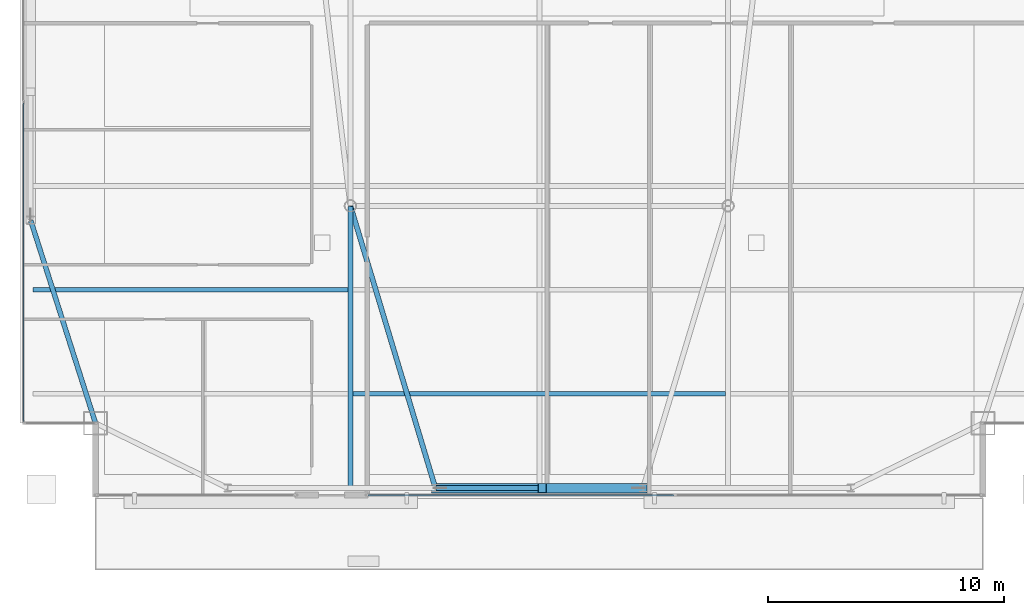
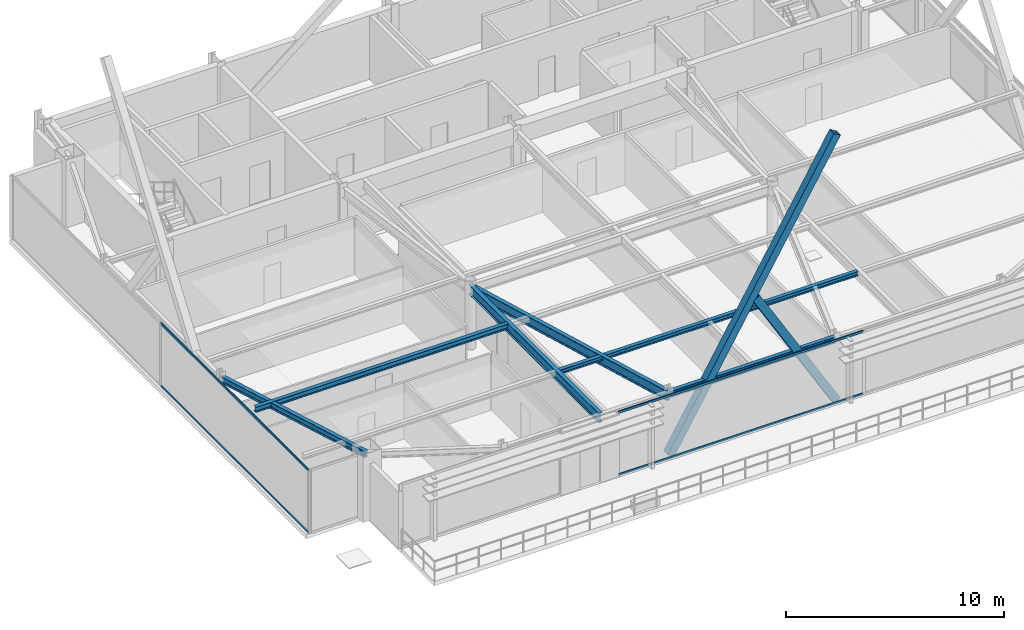
# One storey, part 6 of 25: 6 beams, 6 members, 2 elements without a shape of their own.
"""IFC4 building model written with IfcOpenShell, lengths in metres."""

from ifc_helpers import new_model, si_unit, direction, frame, origin, origin_2d, place, context, subcontext, project, spatial, hollow_rectangle, i_section, extrude, source, transform, mapped, material, layer, layer_set, material_profile, profile_set, type_object, type_shapes, element, aggregate, save


model = new_model("IFC4")

# Units and contexts
model_context = context("Model", 3, precision=1e-05, world=origin(), true_north=direction((0.0, 1.0)))
body_context = subcontext(model_context, "Body", "Model", "MODEL_VIEW")
ifc_project = project(units=[si_unit("LENGTHUNIT", "METRE"), si_unit("AREAUNIT", "SQUARE_METRE"), si_unit("VOLUMEUNIT", "CUBIC_METRE"), si_unit("PLANEANGLEUNIT", "RADIAN"), si_unit("MASSUNIT", "GRAM", prefix="KILO")], contexts=[model_context])

# Site, building, storey
site_placement = place(None, origin())
site = spatial("IfcSite", under=ifc_project, at=site_placement, CompositionType="ELEMENT")
building_placement = place(site_placement, origin())
building = spatial("IfcBuilding", under=site, at=building_placement, Name="Varnel Quay Broadcast Tower", CompositionType="ELEMENT")
storey_placement = place(building_placement, frame((0.0, 0.0, 258.39990234375)))
storey = spatial("IfcBuildingStorey", under=building, at=storey_placement, Name="L64", CompositionType="ELEMENT", Elevation=258.39990234375)

# Beams
ifc_material_1 = material(Name="Structural Steel CSA G40.21 350W", Category="steel")
ifc_material_profile_1 = material_profile(ifc_material_1, i_section(OverallWidth=0.205078125, OverallDepth=0.35400390625, WebThickness=0.009521484375, FlangeThickness=0.016845703125, FilletRadius=0.012939453125, at=origin_2d()), Name="W360X79")
ifc_profile_set_1 = profile_set([ifc_material_profile_1], Name="Structural Steel CSA G40.21 350W")
beam_type_1 = type_object("IfcBeamType", Name="Beam_W360X79", PredefinedType="SPANDREL", material=ifc_profile_set_1)
shared_shape_1 = source(origin(), body_context, "Body", "SweptSolid", [
    extrude(i_section(OverallWidth=0.205078125, OverallDepth=0.35400390625, WebThickness=0.009521484375, FlangeThickness=0.016845703125, FilletRadius=0.012939453125, at=origin_2d()), origin(), (0.0, 0.0, 1.0), 8.759765625),
])
beam_1_placement = place(storey_placement, frame((29.6201171875, 13.64990234375, 3.373046875), z_axis=(1.0, 0.0, 0.0), x_axis=(0.0, 1.0, 0.0)))
element("IfcBeam", 1, at=beam_1_placement, inside=storey, type_object=beam_type_1, Name="L64 South Spandrel TC-S2-TC-S3", PredefinedType="SPANDREL", context=body_context, shape_type="MappedRepresentation", body=[
    mapped(shared_shape_1, transform((0.0, 0.0, 0.0), x_axis=(1.0, 0.0, 0.0), y_axis=(0.0, 1.0, 0.0), z_axis=(0.0, 0.0, 1.0), scale=1.0)),
])
shared_shape_2 = source(origin(), body_context, "Body", "SweptSolid", [
    extrude(i_section(OverallWidth=0.205078125, OverallDepth=0.35400390625, WebThickness=0.009521484375, FlangeThickness=0.016845703125, FilletRadius=0.012939453125, at=origin_2d()), origin(), (0.0, 0.0, 1.0), 8.989013671875),
])
type_shapes(beam_type_1, [shared_shape_1, shared_shape_2])
beam_2_placement = place(storey_placement, frame((15.19384765625, 16.4189453125, 3.373046875), z_axis=(-0.304568770162, 0.952490348635, 0.0), x_axis=(-0.952490348635, -0.304568770162, 0.0)))
element("IfcBeam", 2, at=beam_2_placement, inside=storey, type_object=beam_type_1, Name="L64 West Spandrel MC-SW-TC-W1", PredefinedType="SPANDREL", context=body_context, shape_type="MappedRepresentation", body=[
    mapped(shared_shape_2, transform((0.0, 0.0, 0.0), x_axis=(1.0, 0.0, 0.0), y_axis=(0.0, 1.0, 0.0), z_axis=(0.0, 0.0, 1.0), scale=1.0)),
])
ifc_material_profile_2 = material_profile(ifc_material_1, i_section(OverallWidth=0.2119140625, OverallDepth=0.5439453125, WebThickness=0.01318359375, FlangeThickness=0.021240234375, FilletRadius=0.013916015625, at=origin_2d()), Name="W530X123")
ifc_profile_set_2 = profile_set([ifc_material_profile_2], Name="Structural Steel CSA G40.21 350W")
beam_type_2 = type_object("IfcBeamType", Name="Girder_W530X123", PredefinedType="BEAM", material=ifc_profile_set_2)
shared_shape_3 = source(origin(), body_context, "Body", "SweptSolid", [
    extrude(i_section(OverallWidth=0.2119140625, OverallDepth=0.5439453125, WebThickness=0.01318359375, FlangeThickness=0.021240234375, FilletRadius=0.013916015625, at=origin_2d()), origin(), (0.0, 0.0, 1.0), 12.449951171875),
])
beam_3_placement = place(storey_placement, frame((29.59423828125, 13.669189453125, 3.278076171875), z_axis=(-0.28822390679, 0.957563042078, 0.0), x_axis=(-0.957563042078, -0.28822390679, 0.0)))
element("IfcBeam", 3, at=beam_3_placement, inside=storey, type_object=beam_type_2, Name="L64 Primary Girder TC-S2-IC-01", PredefinedType="BEAM", context=body_context, shape_type="MappedRepresentation", body=[
    mapped(shared_shape_3, transform((0.0, 0.0, 0.0), x_axis=(1.0, 0.0, 0.0), y_axis=(0.0, 1.0, 0.0), z_axis=(0.0, 0.0, 1.0), scale=1.0)),
])
shared_shape_4 = source(origin(), body_context, "Body", "SweptSolid", [
    extrude(i_section(OverallWidth=0.2119140625, OverallDepth=0.5439453125, WebThickness=0.01318359375, FlangeThickness=0.021240234375, FilletRadius=0.013916015625, at=origin_2d()), origin(), (0.0, 0.0, 1.0), 11.920166015625),
])
type_shapes(beam_type_2, [shared_shape_3, shared_shape_4])
beam_4_placement = place(storey_placement, frame((26.0, 13.669921875, 3.278076171875), z_axis=(0.0, 1.0, 0.0), x_axis=(-1.0, 0.0, 0.0)))
element("IfcBeam", 4, at=beam_4_placement, inside=storey, type_object=beam_type_2, Name="L64 N-S Joist Header IC-01S", PredefinedType="BEAM", context=body_context, shape_type="MappedRepresentation", body=[
    mapped(shared_shape_4, transform((0.0, 0.0, 0.0), x_axis=(1.0, 0.0, 0.0), y_axis=(0.0, 1.0, 0.0), z_axis=(0.0, 0.0, 1.0), scale=1.0)),
])
ifc_material_profile_3 = material_profile(ifc_material_1, i_section(OverallWidth=0.201904296875, OverallDepth=0.2470703125, WebThickness=0.00732421875, FlangeThickness=0.010986328125, FilletRadius=0.010986328125, at=origin_2d()), Name="W250X49")
ifc_profile_set_3 = profile_set([ifc_material_profile_3], Name="Structural Steel CSA G40.21 350W")
beam_type_3 = type_object("IfcBeamType", Name="Beam_W250X49", PredefinedType="JOIST", material=ifc_profile_set_3)
shared_shape_5 = source(origin(), body_context, "Body", "SweptSolid", [
    extrude(i_section(OverallWidth=0.201904296875, OverallDepth=0.2470703125, WebThickness=0.00732421875, FlangeThickness=0.010986328125, FilletRadius=0.010986328125, at=origin_2d()), origin(), (0.0, 0.0, 1.0), 15.7978515625),
])
type_shapes(beam_type_3, [shared_shape_5])
beam_5_placement = place(storey_placement, frame((26.10107421875, 17.64990234375, 3.426513671875), z_axis=(1.0, 0.0, 0.0), x_axis=(0.0, 1.0, 0.0)))
element("IfcBeam", 5, at=beam_5_placement, inside=storey, type_object=beam_type_3, Name="L64 Central Floor Joist 1", PredefinedType="JOIST", context=body_context, shape_type="MappedRepresentation", body=[
    mapped(shared_shape_5, transform((0.0, 0.0, 0.0), x_axis=(1.0, 0.0, 0.0), y_axis=(0.0, 1.0, 0.0), z_axis=(0.0, 0.0, 1.0), scale=1.0)),
])
ifc_material_profile_4 = material_profile(ifc_material_1, i_section(OverallWidth=0.202880859375, OverallDepth=0.302978515625, WebThickness=0.007568359375, FlangeThickness=0.01318359375, FilletRadius=0.011962890625, at=origin_2d()), Name="W310X60")
ifc_profile_set_4 = profile_set([ifc_material_profile_4], Name="Structural Steel CSA G40.21 350W")
beam_type_4 = type_object("IfcBeamType", Name="Beam_W310X60", PredefinedType="JOIST", material=ifc_profile_set_4)
shared_shape_6 = source(origin(), body_context, "Body", "SweptSolid", [
    extrude(i_section(OverallWidth=0.202880859375, OverallDepth=0.302978515625, WebThickness=0.007568359375, FlangeThickness=0.01318359375, FilletRadius=0.011962890625, at=origin_2d()), origin(), (0.0, 0.0, 1.0), 13.351318359375),
])
type_shapes(beam_type_4, [shared_shape_6])
beam_6_placement = place(storey_placement, frame((12.547607421875, 22.050048828125, 3.398681640625), z_axis=(1.0, 0.0, 0.0), x_axis=(0.0, 1.0, 0.0)))
element("IfcBeam", 6, at=beam_6_placement, inside=storey, type_object=beam_type_4, Name="L64 West Floor Joist 2", PredefinedType="JOIST", context=body_context, shape_type="MappedRepresentation", body=[
    mapped(shared_shape_6, transform((0.0, 0.0, 0.0), x_axis=(1.0, 0.0, 0.0), y_axis=(0.0, 1.0, 0.0), z_axis=(0.0, 0.0, 1.0), scale=1.0)),
])

# Members
ifc_material_profile_5 = material_profile(ifc_material_1, hollow_rectangle(XDim=0.406005859375, YDim=0.406005859375, WallThickness=0.01611328125, at=origin_2d()), Name="HSS406X406X16")
ifc_profile_set_5 = profile_set([ifc_material_profile_5], Name="Structural Steel CSA G40.21 350W")
member_type_1 = type_object("IfcMemberType", Name="Brace_HSS406X406X16", PredefinedType="BRACE", material=ifc_profile_set_5)
shared_shape_7 = source(origin(), body_context, "Body", "SweptSolid", [
    extrude(hollow_rectangle(XDim=0.406005859375, YDim=0.406005859375, WallThickness=0.01611328125, at=origin_2d()), origin(), (0.0, 0.0, 1.0), 17.313232421875),
])
member_1_placement = place(storey_placement, frame((29.60009765625, 13.64990234375, 0.02001953125), z_axis=(0.50826935819, 0.0, 0.861198153461), x_axis=(0.0, 1.0, 0.0)))
element("IfcMember", 7, at=member_1_placement, inside=storey, type_object=member_type_1, Name="Zone 5 Mega-Brace S-C1T1 Continuous Diag A", PredefinedType="BRACE", context=body_context, shape_type="MappedRepresentation", body=[
    mapped(shared_shape_7, transform((0.0, 0.0, 0.0), x_axis=(1.0, 0.0, 0.0), y_axis=(0.0, 1.0, 0.0), z_axis=(0.0, 0.0, 1.0), scale=1.0)),
])
shared_shape_8 = source(origin(), body_context, "Body", "SweptSolid", [
    extrude(hollow_rectangle(XDim=0.406005859375, YDim=0.406005859375, WallThickness=0.01611328125, at=origin_2d()), origin(), (0.0, 0.0, 1.0), 8.399658203125),
])
type_shapes(member_type_1, [shared_shape_7, shared_shape_8])
member_2_placement = place(storey_placement, frame((38.39990234375, 13.64990234375, 0.02001953125), z_axis=(-0.508263126145, 0.0, 0.861201831513), x_axis=(0.0, -1.0, 0.0)))
element("IfcMember", 8, at=member_2_placement, inside=storey, type_object=member_type_1, Name="Zone 5 Mega-Brace S-C1T1 Split Diag B1", PredefinedType="BRACE", context=body_context, shape_type="MappedRepresentation", body=[
    mapped(shared_shape_8, transform((0.0, 0.0, 0.0), x_axis=(1.0, 0.0, 0.0), y_axis=(0.0, 1.0, 0.0), z_axis=(0.0, 0.0, 1.0), scale=1.0)),
])

# Curtain wall, members
ifc_material_2 = material(Name="Anodised Bronze Aluminium 6063-T6", Category="aluminium")
ifc_layer = layer(ifc_material_2, 0.18994140625, Name="Anodised Bronze Aluminium 6063-T6")
ifc_layer_set = layer_set([ifc_layer], Name="Anodised Bronze Aluminium 6063-T6")
curtain_wall_type = type_object("IfcCurtainWallType", Name="CW_UpperTower", PredefinedType="NOTDEFINED", material=ifc_layer_set)
curtain_wall_1_placement = place(storey_placement, origin())
curtain_wall_1 = element("IfcCurtainWall", 9, at=curtain_wall_1_placement, inside=storey, type_object=curtain_wall_type, Name="L64 South Unitised Curtain Wall 2", PredefinedType="NOTDEFINED")
ifc_material_profile_6 = material_profile(ifc_material_2, hollow_rectangle(XDim=0.06005859375, YDim=0.125, WallThickness=0.0029296875, at=origin_2d()), Name="ALU60X125X3")
ifc_profile_set_6 = profile_set([ifc_material_profile_6], Name="Anodised Bronze Aluminium 6063-T6")
member_type_2 = type_object("IfcMemberType", Name="Tran_CWS-03", PredefinedType="USERDEFINED", material=ifc_profile_set_6)
shared_shape_9 = source(origin(), body_context, "Body", "SweptSolid", [
    extrude(hollow_rectangle(XDim=0.06005859375, YDim=0.125, WallThickness=0.0029296875, at=origin_2d()), origin(), (0.0, 0.0, 1.0), 12.96240234375),
])
member_3_placement = place(storey_placement, frame((26.7451171875, 13.35009765625, 0.030029296875), z_axis=(1.0, 0.0, 0.0), x_axis=(0.0, 1.0, 0.0)))
member_3 = element("IfcMember", 10, at=member_3_placement, type_object=member_type_2, Name="CWS-03 transom 1.1", ObjectType="TRANSOM", PredefinedType="USERDEFINED", context=body_context, shape_type="MappedRepresentation", body=[
    mapped(shared_shape_9, transform((0.0, 0.0, 0.0), x_axis=(1.0, 0.0, 0.0), y_axis=(0.0, 1.0, 0.0), z_axis=(0.0, 0.0, 1.0), scale=1.0)),
])
member_4_placement = place(storey_placement, frame((26.7451171875, 13.35009765625, 3.52001953125), z_axis=(1.0, 0.0, 0.0), x_axis=(0.0, 1.0, 0.0)))
member_4 = element("IfcMember", 11, at=member_4_placement, type_object=member_type_2, Name="CWS-03 transom 1.2", ObjectType="TRANSOM", PredefinedType="USERDEFINED", context=body_context, shape_type="MappedRepresentation", body=[
    mapped(shared_shape_9, transform((0.0, 0.0, 0.0), x_axis=(1.0, 0.0, 0.0), y_axis=(0.0, 1.0, 0.0), z_axis=(0.0, 0.0, 1.0), scale=1.0)),
])
aggregate(curtain_wall_1, [member_3, member_4])

curtain_wall_2_placement = place(storey_placement, origin())
curtain_wall_2 = element("IfcCurtainWall", 12, at=curtain_wall_2_placement, inside=storey, type_object=curtain_wall_type, Name="L64 West Unitised Curtain Wall", PredefinedType="NOTDEFINED")
shared_shape_10 = source(origin(), body_context, "Body", "SweptSolid", [
    extrude(hollow_rectangle(XDim=0.06005859375, YDim=0.125, WallThickness=0.0029296875, at=origin_2d()), origin(), (0.0, 0.0, 1.0), 13.50244140625),
])
type_shapes(member_type_2, [shared_shape_9, shared_shape_10])
member_5_placement = place(storey_placement, frame((12.14990234375, 16.465087890625, 0.030029296875), z_axis=(0.0, 1.0, 0.0), x_axis=(-1.0, 0.0, 0.0)))
member_5 = element("IfcMember", 13, at=member_5_placement, type_object=member_type_2, Name="CWS-03 transom 1.1", ObjectType="TRANSOM", PredefinedType="USERDEFINED", context=body_context, shape_type="MappedRepresentation", body=[
    mapped(shared_shape_10, transform((0.0, 0.0, 0.0), x_axis=(1.0, 0.0, 0.0), y_axis=(0.0, 1.0, 0.0), z_axis=(0.0, 0.0, 1.0), scale=1.0)),
])
member_6_placement = place(storey_placement, frame((12.14990234375, 16.465087890625, 3.52001953125), z_axis=(0.0, 1.0, 0.0), x_axis=(-1.0, 0.0, 0.0)))
member_6 = element("IfcMember", 14, at=member_6_placement, type_object=member_type_2, Name="CWS-03 transom 1.2", ObjectType="TRANSOM", PredefinedType="USERDEFINED", context=body_context, shape_type="MappedRepresentation", body=[
    mapped(shared_shape_10, transform((0.0, 0.0, 0.0), x_axis=(1.0, 0.0, 0.0), y_axis=(0.0, 1.0, 0.0), z_axis=(0.0, 0.0, 1.0), scale=1.0)),
])
aggregate(curtain_wall_2, [member_5, member_6])

save(model, "model.ifc")
